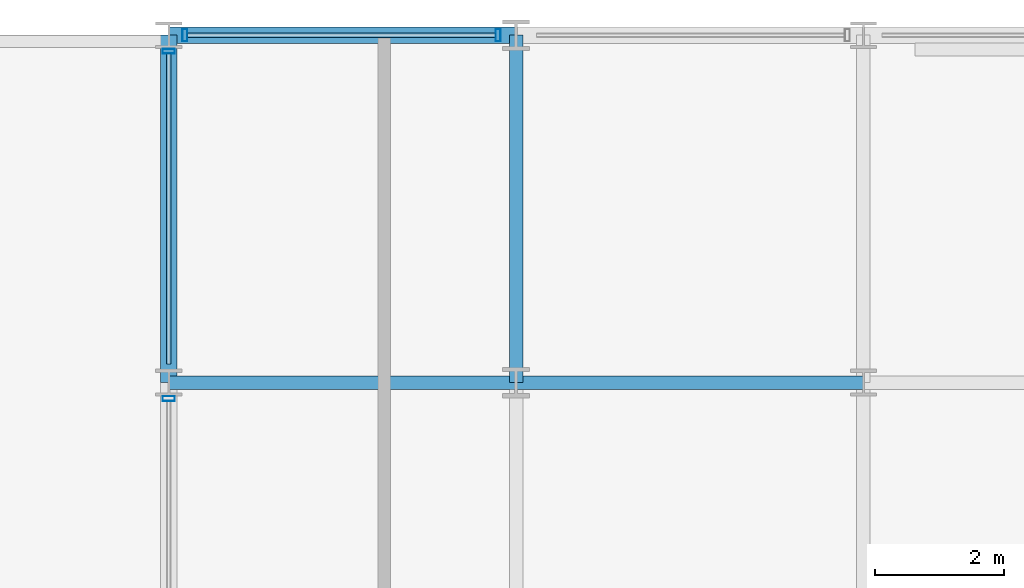
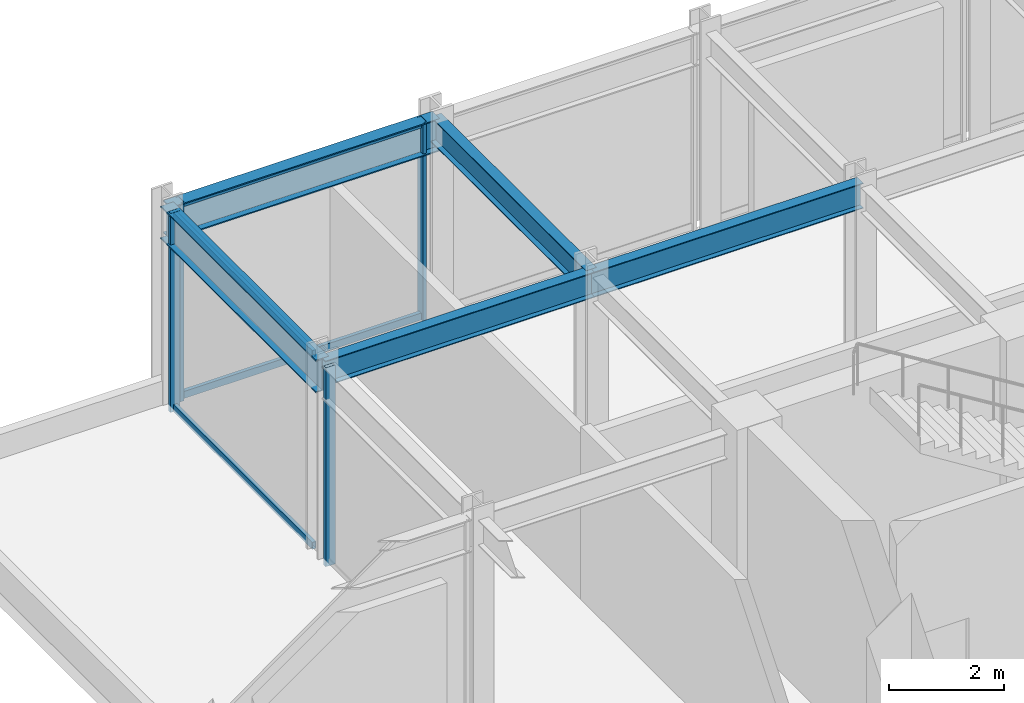
# One storey, part 11 of 22: 8 members, 5 beams, 2 elements without a shape of their own.
"""IFC4 building model written with IfcOpenShell, lengths in metres."""

from ifc_helpers import new_model, si_unit, direction, frame, origin, origin_2d, place, context, subcontext, project, spatial, hollow_rectangle, i_section, extrude, material, layer, layer_set, material_profile, profile_set, type_object, element, aggregate, save


model = new_model("IFC4")

# Units and contexts
model_context = context("Model", 3, precision=1e-05, world=origin(), true_north=direction((0.0, 1.0)))
body_context = subcontext(model_context, "Body", "Model", "MODEL_VIEW")
ifc_project = project(units=[si_unit("LENGTHUNIT", "METRE"), si_unit("AREAUNIT", "SQUARE_METRE"), si_unit("VOLUMEUNIT", "CUBIC_METRE"), si_unit("PLANEANGLEUNIT", "RADIAN"), si_unit("MASSUNIT", "GRAM", prefix="KILO")], contexts=[model_context])

# Site, building, storey
site_placement = place(None, origin())
site = spatial("IfcSite", under=ifc_project, at=site_placement, CompositionType="ELEMENT")
building_placement = place(site_placement, origin())
building = spatial("IfcBuilding", under=site, at=building_placement, Name="Surkhivell Harbour Commons", CompositionType="ELEMENT")
storey_placement = place(building_placement, frame((0.0, 0.0, 342.0)))
storey = spatial("IfcBuildingStorey", under=building, at=storey_placement, Name="L89", CompositionType="ELEMENT", Elevation=342.0)

# Beams
ifc_material_1 = material(Name="Steel S355", Category="steel")
ifc_material_profile_1 = material_profile(ifc_material_1, i_section(OverallWidth=0.2099609375, OverallDepth=0.537109375, WebThickness=0.0107421875, FlangeThickness=0.017333984375, at=origin_2d()), Name="UB533x210x101")
ifc_profile_set_1 = profile_set([ifc_material_profile_1], Name="Steel S355")
beam_type_1 = type_object("IfcBeamType", Name="BM-GRD-533B", PredefinedType="BEAM", material=ifc_profile_set_1)
beam_1_placement = place(storey_placement, frame((-16.199951171875, 16.199951171875, 3.951416015625), z_axis=(1.0, 0.0, 0.0), x_axis=(0.0, 1.0, 0.0)))
element("IfcBeam", 1, at=beam_1_placement, inside=storey, type_object=beam_type_1, Name="L89 Floor Girder (-16.2,16.2)", PredefinedType="BEAM", context=body_context, shape_type="SweptSolid", body=[
    extrude(i_section(OverallWidth=0.2099609375, OverallDepth=0.537109375, WebThickness=0.0107421875, FlangeThickness=0.017333984375, at=origin_2d()), origin(), (0.0, 0.0, 1.0), 5.39990234375),
])
for number, where, z_axis, x_axis, name in (
    (2, (-10.800048828125, 16.199951171875, 3.951416015625), (0.0, 1.0, 0.0), (-1.0, 0.0, 0.0), "L89 Floor Girder (-10.8,16.2)"),
    (3, (-10.800048828125, 16.199951171875, 3.951416015625), (1.0, 0.0, 0.0), (0.0, 1.0, 0.0), "L89 Floor Girder (-10.8,16.2)"),
):
    element("IfcBeam", number, at=place(storey_placement, frame(where, z_axis=z_axis, x_axis=x_axis)), inside=storey, type_object=beam_type_1, Name=name, PredefinedType="BEAM", context=body_context, shape_type="SweptSolid", body=[
        extrude(i_section(OverallWidth=0.2099609375, OverallDepth=0.537109375, WebThickness=0.0107421875, FlangeThickness=0.017333984375, at=origin_2d()), origin(), (0.0, 0.0, 1.0), 5.400146484375),
    ])
ifc_material_profile_2 = material_profile(ifc_material_1, i_section(OverallWidth=0.256103515625, OverallDepth=0.693115234375, WebThickness=0.014404296875, FlangeThickness=0.023681640625, at=origin_2d()), Name="UB686x254x170")
ifc_profile_set_2 = profile_set([ifc_material_profile_2], Name="Steel S355")
beam_type_2 = type_object("IfcBeamType", Name="BM-SPN-686", PredefinedType="SPANDREL", material=ifc_profile_set_2)
beam_2_placement = place(storey_placement, frame((-16.199951171875, 16.199951171875, 3.87353515625), z_axis=(0.0, 1.0, 0.0), x_axis=(-1.0, 0.0, 0.0)))
element("IfcBeam", 4, at=beam_2_placement, inside=storey, type_object=beam_type_2, Name="L89 Tube Spandrel (-16.2,16.2)", PredefinedType="SPANDREL", context=body_context, shape_type="SweptSolid", body=[
    extrude(i_section(OverallWidth=0.256103515625, OverallDepth=0.693115234375, WebThickness=0.014404296875, FlangeThickness=0.023681640625, at=origin_2d()), origin(), (0.0, 0.0, 1.0), 5.400146484375),
])
beam_3_placement = place(storey_placement, frame((-16.199951171875, 21.60009765625, 3.87353515625), z_axis=(1.0, 0.0, 0.0), x_axis=(0.0, 1.0, 0.0)))
element("IfcBeam", 5, at=beam_3_placement, inside=storey, type_object=beam_type_2, Name="L89 Tube Spandrel (-16.2,21.6)", PredefinedType="SPANDREL", context=body_context, shape_type="SweptSolid", body=[
    extrude(i_section(OverallWidth=0.256103515625, OverallDepth=0.693115234375, WebThickness=0.014404296875, FlangeThickness=0.023681640625, at=origin_2d()), origin(), (0.0, 0.0, 1.0), 5.39990234375),
])

# Curtain wall, members
ifc_material_2 = material(Name="Anodised pale-metal aluminium and insulated glazing", Category="aluminium")
ifc_layer = layer(ifc_material_2, 0.22998046875)
ifc_layer_set = layer_set([ifc_layer], Name="Anodised pale-metal aluminium and insulated glazing")
curtain_wall_type = type_object("IfcCurtainWallType", Name="CW-SYS-CRN", PredefinedType="NOTDEFINED", material=ifc_layer_set)
curtain_wall_1_placement = place(storey_placement, origin())
curtain_wall_1 = element("IfcCurtainWall", 6, at=curtain_wall_1_placement, inside=storey, type_object=curtain_wall_type, Name="L89 Curtain Wall CW-L89-C00S1", PredefinedType="NOTDEFINED")
ifc_material_3 = material(Name="Anodised pale-metal aluminium alloy 6063-T6", Category="aluminium")
ifc_material_profile_3 = material_profile(ifc_material_3, hollow_rectangle(XDim=0.074951171875, YDim=0.18994140625, WallThickness=0.00390625, at=origin_2d()), Name="ALU-MULL-75x190")
ifc_profile_set_3 = profile_set([ifc_material_profile_3], Name="Anodised pale-metal aluminium alloy 6063-T6")
member_type_1 = type_object("IfcMemberType", Name="CWM-190", PredefinedType="MULLION", material=ifc_profile_set_3)
member_1_placement = place(storey_placement, frame((-16.199951171875, 21.3505859375, 0.0), z_axis=(0.0, 0.0, 1.0), x_axis=(0.0, -1.0, 0.0)))
member_1 = element("IfcMember", 7, at=member_1_placement, type_object=member_type_1, Name="CW-CRN mullion 1", PredefinedType="MULLION", context=body_context, shape_type="SweptSolid", body=[
    extrude(hollow_rectangle(XDim=0.074951171875, YDim=0.18994140625, WallThickness=0.00390625, at=origin_2d()), origin(), (0.0, 0.0, 1.0), 4.219970703125),
])
member_2_placement = place(storey_placement, frame((-16.199951171875, 15.950439453125, 0.0), z_axis=(0.0, 0.0, 1.0), x_axis=(0.0, -1.0, 0.0)))
member_2 = element("IfcMember", 8, at=member_2_placement, type_object=member_type_1, Name="CW-CRN mullion 2", PredefinedType="MULLION", context=body_context, shape_type="SweptSolid", body=[
    extrude(hollow_rectangle(XDim=0.074951171875, YDim=0.18994140625, WallThickness=0.00390625, at=origin_2d()), origin(), (0.0, 0.0, 1.0), 4.219970703125),
])

curtain_wall_2_placement = place(storey_placement, origin())
curtain_wall_2 = element("IfcCurtainWall", 9, at=curtain_wall_2_placement, inside=storey, type_object=curtain_wall_type, Name="L89 Curtain Wall CW-L89-C05", PredefinedType="NOTDEFINED")
member_3_placement = place(storey_placement, frame((-11.07958984375, 21.60009765625, 0.0), z_axis=(0.0, 0.0, 1.0), x_axis=(-1.0, 0.0, 0.0)))
member_3 = element("IfcMember", 10, at=member_3_placement, type_object=member_type_1, Name="CW-CRN mullion 5", PredefinedType="MULLION", context=body_context, shape_type="SweptSolid", body=[
    extrude(hollow_rectangle(XDim=0.074951171875, YDim=0.18994140625, WallThickness=0.00390625, at=origin_2d()), origin(), (0.0, 0.0, 1.0), 4.219970703125),
])
member_4_placement = place(storey_placement, frame((-15.950439453125, 21.60009765625, 0.0), z_axis=(0.0, 0.0, 1.0), x_axis=(-1.0, 0.0, 0.0)))
member_4 = element("IfcMember", 11, at=member_4_placement, type_object=member_type_1, Name="CW-CRN mullion 6", PredefinedType="MULLION", context=body_context, shape_type="SweptSolid", body=[
    extrude(hollow_rectangle(XDim=0.074951171875, YDim=0.18994140625, WallThickness=0.00390625, at=origin_2d()), origin(), (0.0, 0.0, 1.0), 4.219970703125),
])

# Member
ifc_material_profile_4 = material_profile(ifc_material_3, hollow_rectangle(XDim=0.074951171875, YDim=0.14990234375, WallThickness=0.00341796875, at=origin_2d()), Name="ALU-TRAN-75x150")
ifc_profile_set_4 = profile_set([ifc_material_profile_4], Name="Anodised pale-metal aluminium alloy 6063-T6")
member_type_2 = type_object("IfcMemberType", Name="CWT-150", PredefinedType="USERDEFINED", material=ifc_profile_set_4)
member_5_placement = place(storey_placement, frame((-16.199951171875, 21.31298828125, 0.074951171875), z_axis=(0.0, -1.0, 0.0), x_axis=(1.0, 0.0, 0.0)))
member_5 = element("IfcMember", 12, at=member_5_placement, type_object=member_type_2, Name="CW-CRN transom 1.1", ObjectType="TRANSOM", PredefinedType="USERDEFINED", context=body_context, shape_type="SweptSolid", body=[
    extrude(hollow_rectangle(XDim=0.074951171875, YDim=0.14990234375, WallThickness=0.00341796875, at=origin_2d()), origin(), (0.0, 0.0, 1.0), 4.825927734375),
])

member_6_placement = place(storey_placement, frame((-16.199951171875, 21.31298828125, 4.14501953125), z_axis=(0.0, -1.0, 0.0), x_axis=(1.0, 0.0, 0.0)))
member_6 = element("IfcMember", 13, at=member_6_placement, type_object=member_type_2, Name="CW-CRN transom 1.2", ObjectType="TRANSOM", PredefinedType="USERDEFINED", context=body_context, shape_type="SweptSolid", body=[
    extrude(hollow_rectangle(XDim=0.074951171875, YDim=0.14990234375, WallThickness=0.00341796875, at=origin_2d()), origin(), (0.0, 0.0, 1.0), 4.825927734375),
])

aggregate(curtain_wall_1, [member_1, member_5, member_6, member_2])

member_7_placement = place(storey_placement, frame((-11.116943359375, 21.60009765625, 0.074951171875), z_axis=(-1.0, 0.0, 0.0), x_axis=(0.0, -1.0, 0.0)))
member_7 = element("IfcMember", 14, at=member_7_placement, type_object=member_type_2, Name="CW-CRN transom 5.1", ObjectType="TRANSOM", PredefinedType="USERDEFINED", context=body_context, shape_type="SweptSolid", body=[
    extrude(hollow_rectangle(XDim=0.074951171875, YDim=0.14990234375, WallThickness=0.00341796875, at=origin_2d()), origin(), (0.0, 0.0, 1.0), 4.796142578125),
])

member_8_placement = place(storey_placement, frame((-11.116943359375, 21.60009765625, 4.14501953125), z_axis=(-1.0, 0.0, 0.0), x_axis=(0.0, -1.0, 0.0)))
member_8 = element("IfcMember", 15, at=member_8_placement, type_object=member_type_2, Name="CW-CRN transom 5.2", ObjectType="TRANSOM", PredefinedType="USERDEFINED", context=body_context, shape_type="SweptSolid", body=[
    extrude(hollow_rectangle(XDim=0.074951171875, YDim=0.14990234375, WallThickness=0.00341796875, at=origin_2d()), origin(), (0.0, 0.0, 1.0), 4.796142578125),
])

aggregate(curtain_wall_2, [member_3, member_4, member_7, member_8])

save(model, "model.ifc")
